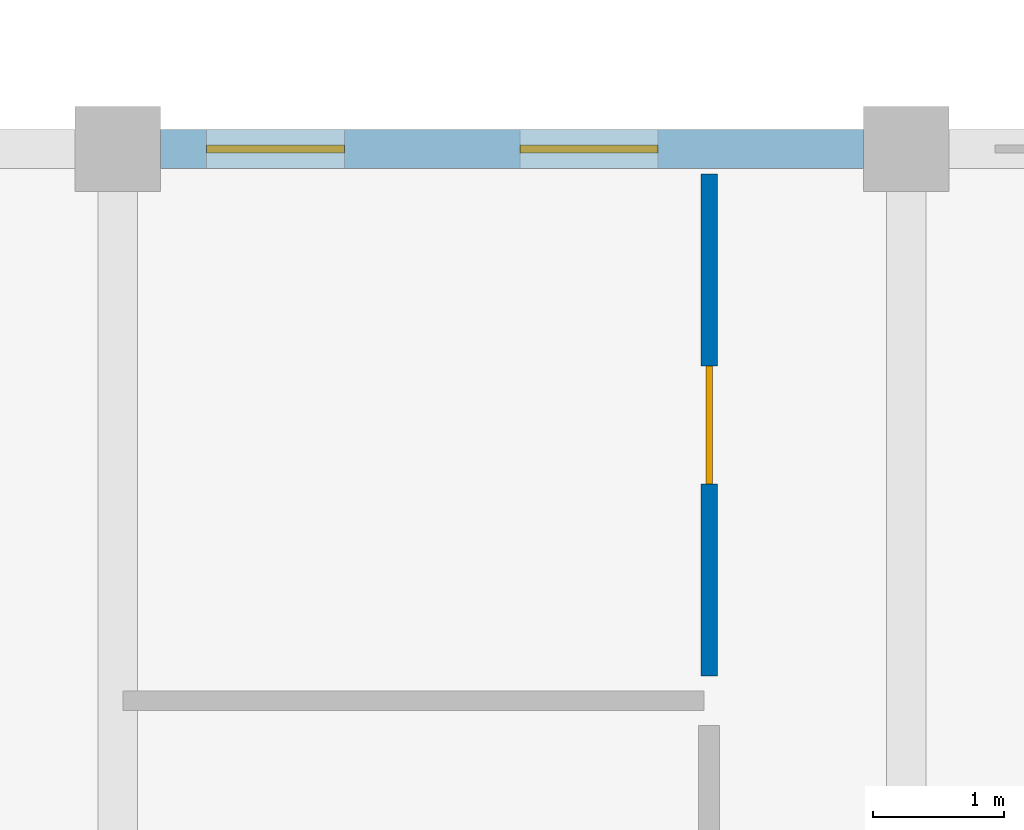
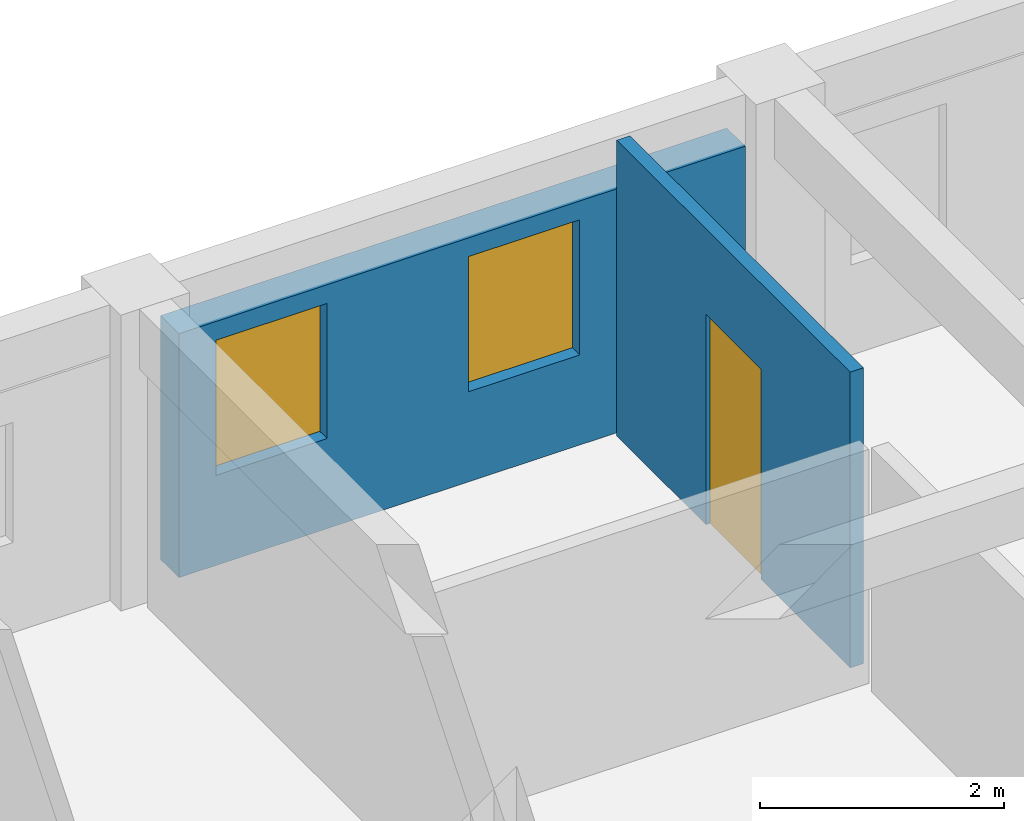
# One storey, part 86 of 123: 2 walls, 2 windows, 1 door, 3 openings.
"""IFC4 building model written with IfcOpenShell, lengths in metres."""

import ifcopenshell
import ifcopenshell.guid

model = None  # the IFC model being written
_history = None  # IfcOwnerHistory: only IFC2X3 demands one
_inside = {}  # id of a spatial element -> (the spatial element, [elements in it])
_under = {}  # id of a project, library or spatial element -> (it, [spatial elements below it])
_declared = {}  # id of a project -> (the project, [libraries it declares])
_typed = {}  # id of a type object -> (the type object, [elements of that type])
_made_of = {}  # id of a material, layer set ... -> (it, [elements and type objects made of it])


def new_model(schema):
    """Start an empty IFC model of exactly this schema.

    Asked for "IFC4X3", IfcOpenShell would pick the latest addendum, in which some entities
    have other attributes; the version numbers below select the first issue.
    IFC2X3 requires an IfcOwnerHistory on every rooted entity: one is made here for all.
    """
    global model, _history
    if schema == "IFC4X3":
        model = ifcopenshell.file(schema_version=(4, 3, 0, 0))
    else:
        model = ifcopenshell.file(schema=schema)
    _inside.clear()
    _under.clear()
    _declared.clear()
    _typed.clear()
    _made_of.clear()
    _history = None
    if model.schema == "IFC2X3":
        org = make("IfcOrganization", Name="unknown")
        user = make(
            "IfcPersonAndOrganization",
            ThePerson=make("IfcPerson", FamilyName="unknown"),
            TheOrganization=org,
        )
        app = make(
            "IfcApplication",
            ApplicationDeveloper=org,
            Version="unknown",
            ApplicationFullName="unknown",
            ApplicationIdentifier="unknown",
        )
        _history = make(
            "IfcOwnerHistory",
            OwningUser=user,
            OwningApplication=app,
            ChangeAction="ADDED",
            CreationDate=0,
        )
    return model


def make(cls, **values):
    """One entity of the class cls with the attributes given. An attribute that is None is left unset."""
    return model.create_entity(
        cls, **{name: value for name, value in values.items() if value is not None}
    )


def rooted(cls, **values):
    """An entity with a GlobalId (a new one), such as an element, a storey or a relation."""
    return make(cls, GlobalId=ifcopenshell.guid.new(), OwnerHistory=_history, **values)


def si_unit(unit_type, name, prefix=None):
    """IfcSIUnit, for example si_unit("LENGTHUNIT", "METRE", prefix="MILLI")."""
    return make("IfcSIUnit", UnitType=unit_type, Prefix=prefix, Name=name)


def assignment(units):
    """IfcUnitAssignment: the units of a project."""
    return None if units is None else make("IfcUnitAssignment", Units=units)


def point(xyz):
    """IfcCartesianPoint."""
    return None if xyz is None else make("IfcCartesianPoint", Coordinates=xyz)


def direction(xyz):
    """IfcDirection."""
    return None if xyz is None else make("IfcDirection", DirectionRatios=xyz)


def frame(location, z_axis=None, x_axis=None):
    """IfcAxis2Placement3D, a coordinate frame: its origin and axes. An axis left out is left unset."""
    return make(
        "IfcAxis2Placement3D",
        Location=point(location),
        Axis=direction(z_axis),
        RefDirection=direction(x_axis),
    )


def frame_2d(location, x_axis=None):
    """IfcAxis2Placement2D, a coordinate frame in the plane: its origin and x axis."""
    return make(
        "IfcAxis2Placement2D", Location=point(location), RefDirection=direction(x_axis)
    )


def origin():
    """The frame at (0, 0, 0) with its axes left unset."""
    return frame((0.0, 0.0, 0.0))


def place(relative_to, where):
    """IfcLocalPlacement: puts the frame where relative to a parent placement (None: the world)."""
    return make(
        "IfcLocalPlacement", PlacementRelTo=relative_to, RelativePlacement=where
    )


def context(
    kind, dimensions, precision=None, world=None, true_north=None, identifier=None
):
    """IfcGeometricRepresentationContext, for example the 3D "Model" context."""
    return make(
        "IfcGeometricRepresentationContext",
        ContextIdentifier=identifier,
        ContextType=kind,
        CoordinateSpaceDimension=dimensions,
        Precision=precision,
        WorldCoordinateSystem=world,
        TrueNorth=true_north,
    )


def subcontext(parent, identifier, kind, view, scale=None):
    """IfcGeometricRepresentationSubContext, for example "Body" below "Model"."""
    return make(
        "IfcGeometricRepresentationSubContext",
        ContextIdentifier=identifier,
        ContextType=kind,
        ParentContext=parent,
        TargetScale=scale,
        TargetView=view,
    )


def project(units=None, contexts=None):
    """IfcProject with its units and contexts."""
    return rooted(
        "IfcProject",
        Name="project",
        RepresentationContexts=contexts,
        UnitsInContext=assignment(units),
    )


def spatial(cls, under=None, at=None, **own):
    """A site, building, storey or space (cls), placed at a placement, below another one or the project."""
    s = rooted(cls, ObjectPlacement=at, **own)
    if under is not None:
        _under.setdefault(under.id(), (under, []))[1].append(s)
    return s


def profile(cls, at=None, kind="AREA", **sizes):
    """A parametric profile (cls). Its sizes go by their IFC names, for example OverallWidth=200.0."""
    return make(cls, ProfileType=kind, Position=at, **sizes)


def rectangle(**sizes):
    """IfcRectangleProfileDef."""
    return profile("IfcRectangleProfileDef", **sizes)


def extrude(swept, where, along, depth):
    """IfcExtrudedAreaSolid: the profile swept, set in the frame where, extruded along a direction by depth."""
    return make(
        "IfcExtrudedAreaSolid",
        SweptArea=swept,
        Position=where,
        ExtrudedDirection=direction(along),
        Depth=depth,
    )


def shape(context_of_items, identifier, shape_type, items):
    """IfcShapeRepresentation: the items that make up one representation, for example the "Body"."""
    return make(
        "IfcShapeRepresentation",
        ContextOfItems=context_of_items,
        RepresentationIdentifier=identifier,
        RepresentationType=shape_type,
        Items=items,
    )


def material(Name=None, Category=None):
    """IfcMaterial."""
    return make("IfcMaterial", Name=Name, Category=Category)


def layer(
    of_material, thickness, ventilated=None, Name=None, Category=None, Priority=None
):
    """IfcMaterialLayer: one layer of a wall or slab, of a material (None: an air gap)."""
    return make(
        "IfcMaterialLayer",
        Material=of_material,
        LayerThickness=thickness,
        IsVentilated=ventilated,
        Name=Name,
        Category=Category,
        Priority=Priority,
    )


def layer_set(layers, Name=None):
    """IfcMaterialLayerSet."""
    return make("IfcMaterialLayerSet", MaterialLayers=layers, LayerSetName=Name)


def made_of(thing, what):
    """Note that an element or type object is made of a material, layer set ...; save() writes the relation."""
    if what is not None:
        _made_of.setdefault(what.id(), (what, []))[1].append(thing)
    return thing


def type_object(cls, material=None, **own):
    """A type object (cls), such as IfcWallType, which elements share."""
    return made_of(rooted(cls, **own), material)


def element(
    cls,
    number,
    at=None,
    inside=None,
    cuts=None,
    type_object=None,
    material=None,
    context=None,
    identifier="Body",
    shape_type=None,
    held_by="IfcProductDefinitionShape",
    body=None,
    shapes=None,
    **own,
):
    """One element of the class cls, such as IfcWall. Its Tag is "e" and its number.

    at: its placement. inside: the storey or other place that contains it. cuts: it is an
    opening in that element (IfcRelVoidsElement). A single representation is given by context,
    identifier, shape_type and body (its items); several are given by shapes. held_by: the class
    of the entity that holds the representations. save() writes the other relations.
    """
    e = rooted(cls, Tag="e%d" % number, ObjectPlacement=at, **own)
    if body is not None:
        shapes = [shape(context, identifier, shape_type, body)]
    if shapes is not None:
        e.Representation = make(held_by, Representations=shapes)
    if inside is not None:
        _inside.setdefault(inside.id(), (inside, []))[1].append(e)
    if cuts is not None:
        rooted(
            "IfcRelVoidsElement", RelatingBuildingElement=cuts, RelatedOpeningElement=e
        )
    if type_object is not None:
        _typed.setdefault(type_object.id(), (type_object, []))[1].append(e)
    return made_of(e, material)


def fill(opening, filler):
    """IfcRelFillsElement: the door or window that sits in an opening."""
    return rooted(
        "IfcRelFillsElement",
        RelatingOpeningElement=opening,
        RelatedBuildingElement=filler,
    )


def aggregate(whole, parts):
    """IfcRelAggregates: a whole, such as a stair, and the parts it consists of."""
    return rooted("IfcRelAggregates", RelatingObject=whole, RelatedObjects=parts)


def save(model, path):
    """Write the relations noted so far, then the file.

    IfcRelAggregates (storeys below a building ...), IfcRelContainedInSpatialStructure (elements
    in a storey), IfcRelDefinesByType, IfcRelAssociatesMaterial and IfcRelDeclares: one each for
    every whole, place, type object, material and project.
    """
    for whole, parts in _under.values():
        aggregate(whole, parts)
    for where, things in _inside.values():
        rooted(
            "IfcRelContainedInSpatialStructure",
            RelatedElements=things,
            RelatingStructure=where,
        )
    for kind, things in _typed.values():
        rooted("IfcRelDefinesByType", RelatedObjects=things, RelatingType=kind)
    for what, things in _made_of.values():
        rooted("IfcRelAssociatesMaterial", RelatedObjects=things, RelatingMaterial=what)
    for by, libraries in _declared.values():
        rooted("IfcRelDeclares", RelatingContext=by, RelatedDefinitions=libraries)
    model.write(path)


model = new_model("IFC4")

# Units and contexts
model_context = context("Model", 3, precision=1e-05, world=origin(), true_north=direction((0.0, 1.0)))
body_context = subcontext(model_context, "Body", "Model", "MODEL_VIEW")
ifc_project = project(units=[si_unit("LENGTHUNIT", "METRE"), si_unit("AREAUNIT", "SQUARE_METRE"), si_unit("VOLUMEUNIT", "CUBIC_METRE"), si_unit("PLANEANGLEUNIT", "RADIAN"), si_unit("MASSUNIT", "GRAM", prefix="KILO"), si_unit("POWERUNIT", "WATT"), si_unit("THERMODYNAMICTEMPERATUREUNIT", "KELVIN")], contexts=[model_context])

# Site, building, storey
site_placement = place(None, origin())
site = spatial("IfcSite", under=ifc_project, at=site_placement, CompositionType="ELEMENT")
building_placement = place(site_placement, origin())
building = spatial("IfcBuilding", under=site, at=building_placement, Name="Ruvembo Vaulted Housing Court", CompositionType="ELEMENT")
storey_placement = place(building_placement, frame((0.0, 0.0, 7.699951171875)))
storey = spatial("IfcBuildingStorey", under=building, at=storey_placement, Name="L02", CompositionType="ELEMENT", Elevation=7.699951171875)

# Wall, openings, windows
ifc_material_1 = material(Name="Rendered Masonry 300", Category="masonry")
ifc_layer_1 = layer(ifc_material_1, 0.300048828125, Name="Rendered Masonry 300")
ifc_layer_set_1 = layer_set([ifc_layer_1], Name="Rendered Masonry 300")
wall_type_1 = type_object("IfcWallType", Name="WL-EXT-300", PredefinedType="STANDARD", material=ifc_layer_set_1)
wall_1_placement = place(storey_placement, frame((125.675048828125, 36.0, 0.0), z_axis=(0.0, 0.0, 1.0), x_axis=(-1.0, 0.0, 0.0)))
wall_1 = element("IfcWall", 1, at=wall_1_placement, inside=storey, type_object=wall_type_1, Name="Block C L02 Exterior Wall COURTYARD #3", PredefinedType="STANDARD", context=body_context, shape_type="SweptSolid", body=[
    extrude(rectangle(XDim=5.35009765625, YDim=0.300048828125, at=frame_2d((2.675048828125, 0.0))), origin(), (0.0, 0.0, 1.0), 2.43701171875),
])
opening_1_placement = place(wall_1_placement, frame((1.56494140625, 0.0, 0.89990234375)))
opening_1 = element("IfcOpeningElement", 2, at=opening_1_placement, cuts=wall_1, Name="Opening W09", PredefinedType="OPENING", context=body_context, shape_type="SweptSolid", body=[
    extrude(rectangle(XDim=1.050048828125, YDim=1.35009765625, at=frame_2d((0.52490234375, 0.675048828125))), frame((0.0, 0.159912109375, 0.0), z_axis=(0.0, -1.0, 0.0), x_axis=(1.0, 0.0, 0.0)), (0.0, 0.0, 1.0), 0.320068359375),
])
opening_2_placement = place(wall_1_placement, frame((3.949951171875, 0.0, 0.89990234375)))
opening_2 = element("IfcOpeningElement", 3, at=opening_2_placement, cuts=wall_1, Name="Opening W09", PredefinedType="OPENING", context=body_context, shape_type="SweptSolid", body=[
    extrude(rectangle(XDim=1.050048828125, YDim=1.35009765625, at=frame_2d((0.52490234375, 0.675048828125))), frame((0.0, 0.159912109375, 0.0), z_axis=(0.0, -1.0, 0.0), x_axis=(1.0, 0.0, 0.0)), (0.0, 0.0, 1.0), 0.320068359375),
])
ifc_material_2 = material(Name="Double Solar-Control Glazing in Aluminium Frame", Category="aluminium")
window_type = type_object("IfcWindowType", Name="WIN-1050x1350", PartitioningType="SINGLE_PANEL", PredefinedType="WINDOW", material=ifc_material_2)
window_1_placement = place(opening_1_placement, origin())
window_1 = element("IfcWindow", 4, at=window_1_placement, inside=storey, type_object=window_type, Name="Block C L02 Window #1180", OverallHeight=1.35009765625, OverallWidth=1.050048828125, PartitioningType="SINGLE_PANEL", PredefinedType="WINDOW", context=body_context, shape_type="SweptSolid", body=[
    extrude(rectangle(XDim=1.050048828125, YDim=1.35009765625, at=frame_2d((0.52490234375, 0.675048828125))), frame((0.0, 0.030029296875, 0.0), z_axis=(0.0, -1.0, 0.0), x_axis=(1.0, 0.0, 0.0)), (0.0, 0.0, 1.0), 0.06005859375),
])
fill(opening_1, window_1)
window_2_placement = place(opening_2_placement, origin())
window_2 = element("IfcWindow", 5, at=window_2_placement, inside=storey, type_object=window_type, Name="Block C L02 Window #1181", OverallHeight=1.35009765625, OverallWidth=1.050048828125, PartitioningType="SINGLE_PANEL", PredefinedType="WINDOW", context=body_context, shape_type="SweptSolid", body=[
    extrude(rectangle(XDim=1.050048828125, YDim=1.35009765625, at=frame_2d((0.52490234375, 0.675048828125))), frame((0.0, 0.030029296875, 0.0), z_axis=(0.0, -1.0, 0.0), x_axis=(1.0, 0.0, 0.0)), (0.0, 0.0, 1.0), 0.06005859375),
])
fill(opening_2, window_2)

# Wall, opening, door
ifc_material_3 = material(Name="Plasterboard Stud Partition 125", Category="gypsum")
ifc_layer_2 = layer(ifc_material_3, 0.125, Name="Plasterboard Stud Partition 125")
ifc_layer_set_2 = layer_set([ifc_layer_2], Name="Plasterboard Stud Partition 125")
wall_type_2 = type_object("IfcWallType", Name="WL-PART-125", PredefinedType="PARTITIONING", material=ifc_layer_set_2)
wall_2_placement = place(storey_placement, frame((124.5, 31.989990234375, 0.0), z_axis=(0.0, 0.0, 1.0), x_axis=(0.0, 1.0, 0.0)))
wall_2 = element("IfcWall", 6, at=wall_2_placement, inside=storey, type_object=wall_type_2, Name="L02 Flat C-L02-N2 Bedroom 1 WL-INT-L02-00625", PredefinedType="PARTITIONING", context=body_context, shape_type="SweptSolid", body=[
    extrude(rectangle(XDim=3.820068359375, YDim=0.125, at=frame_2d((1.91015625, 0.0))), origin(), (0.0, 0.0, 1.0), 2.955078125),
])
opening_3_placement = place(wall_2_placement, frame((1.4599609375, 0.0, 0.0)))
opening_3 = element("IfcOpeningElement", 7, at=opening_3_placement, cuts=wall_2, Name="Opening ID1", PredefinedType="OPENING", context=body_context, shape_type="SweptSolid", body=[
    extrude(rectangle(XDim=0.89990234375, YDim=2.10009765625, at=frame_2d((0.449951171875, 1.050048828125))), frame((0.0, 0.072509765625, 0.0), z_axis=(0.0, -1.0, 0.0), x_axis=(1.0, 0.0, 0.0)), (0.0, 0.0, 1.0), 0.14501953125),
])
ifc_material_4 = material(Name="FSC Hardwood and Engineered Timber", Category="wood")
door_type = type_object("IfcDoorType", Name="DR-ROOM-0900x2100", OperationType="NOTDEFINED", PredefinedType="DOOR", material=ifc_material_4)
door_placement = place(opening_3_placement, origin())
door = element("IfcDoor", 8, at=door_placement, inside=storey, type_object=door_type, Name="L02 Flat C-L02-N2 Bedroom 1 Door DR-INT-L02-00338", OperationType="SINGLE_SWING_RIGHT", OverallHeight=2.10009765625, OverallWidth=0.89990234375, PredefinedType="DOOR", context=body_context, shape_type="SweptSolid", body=[
    extrude(rectangle(XDim=0.89990234375, YDim=2.10009765625, at=frame_2d((0.449951171875, 1.050048828125))), frame((0.0, 0.02490234375, 0.0), z_axis=(0.0, -1.0, 0.0), x_axis=(1.0, 0.0, 0.0)), (0.0, 0.0, 1.0), 0.050048828125),
])
fill(opening_3, door)

save(model, "model.ifc")
